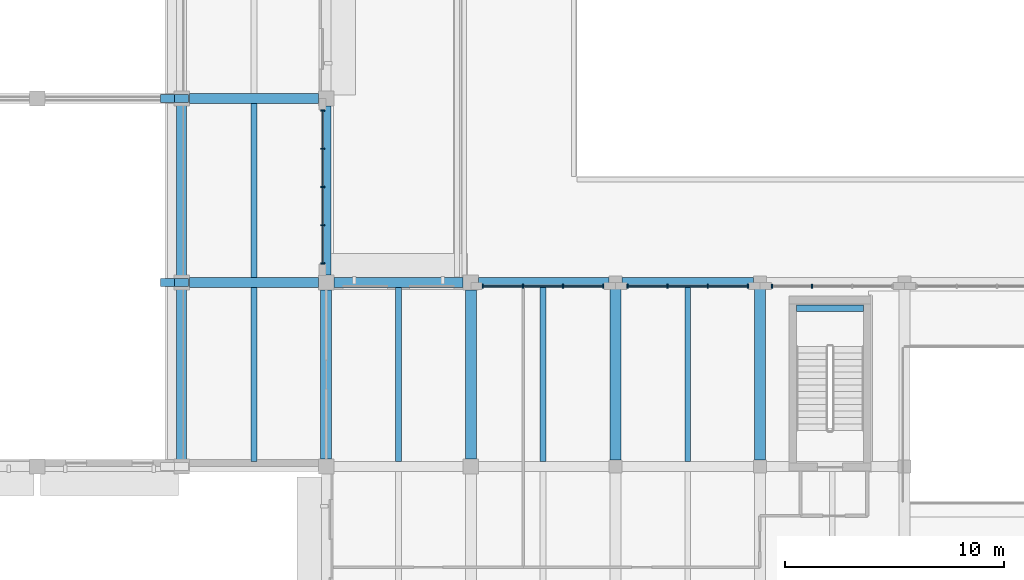
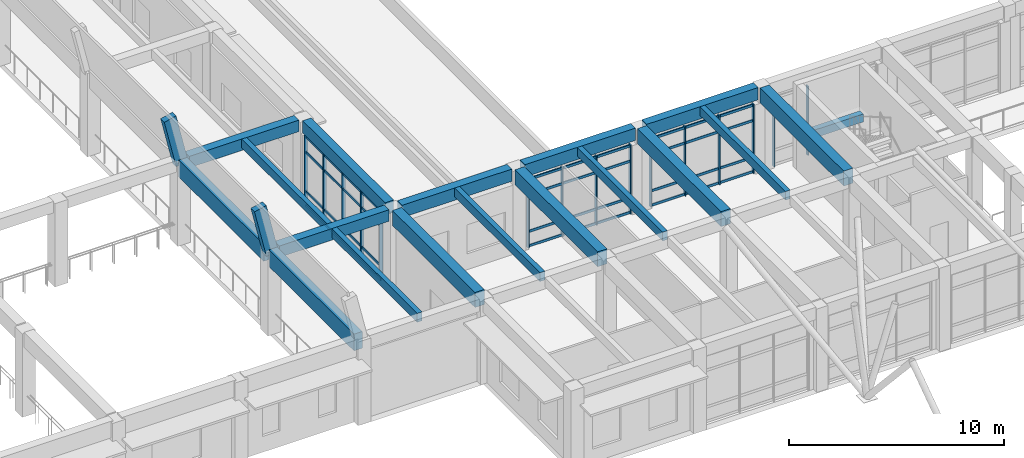
# One storey, part 17 of 75: 27 members, 20 beams, 4 elements without a shape of their own.
"""IFC4 building model written with IfcOpenShell, lengths in metres."""

from ifc_helpers import new_model, si_unit, direction, frame, origin, origin_2d, place, context, subcontext, project, spatial, rectangle, extrude, material, layer, layer_set, material_profile, profile_set, type_object, element, aggregate, save


model = new_model("IFC4")

# Units and contexts
model_context = context("Model", 3, precision=1e-05, world=origin(), true_north=direction((0.0, 1.0)))
body_context = subcontext(model_context, "Body", "Model", "MODEL_VIEW")
ifc_project = project(units=[si_unit("LENGTHUNIT", "METRE"), si_unit("AREAUNIT", "SQUARE_METRE"), si_unit("VOLUMEUNIT", "CUBIC_METRE"), si_unit("PLANEANGLEUNIT", "RADIAN"), si_unit("MASSUNIT", "GRAM", prefix="KILO")], contexts=[model_context])

# Site, building, storey
site_placement = place(None, origin())
site = spatial("IfcSite", under=ifc_project, at=site_placement, CompositionType="ELEMENT")
building_placement = place(site_placement, origin())
building = spatial("IfcBuilding", under=site, at=building_placement, Name="Kolvaren Faculty of Natural Sciences", CompositionType="ELEMENT")
storey_placement = place(building_placement, frame((0.0, 0.0, 5.39990234375)))
storey = spatial("IfcBuildingStorey", under=building, at=storey_placement, Name="L01", CompositionType="ELEMENT", Elevation=5.39990234375)

# Beam
ifc_material_1 = material(Name="Concrete C40/50", Category="concrete")
ifc_material_profile_1 = material_profile(ifc_material_1, rectangle(XDim=0.300048828125, YDim=0.449951171875, at=origin_2d()), Name="RC LNT 300x450")
ifc_profile_set_1 = profile_set([ifc_material_profile_1], Name="Concrete C40/50")
beam_type_1 = type_object("IfcBeamType", Name="CoreCouplingLintel_300x450", PredefinedType="LINTEL", material=ifc_profile_set_1)
beam_1_placement = place(storey_placement, frame((61.27490234375, 83.030029296875, 1.97509765625), z_axis=(1.0, 0.0, 0.0), x_axis=(0.0, 1.0, 0.0)))
element("IfcBeam", 1, at=beam_1_placement, inside=storey, type_object=beam_type_1, Name="L01 ST-6 half-landing support lintel", PredefinedType="LINTEL", context=body_context, shape_type="SweptSolid", body=[
    extrude(rectangle(XDim=0.300048828125, YDim=0.449951171875, at=origin_2d()), origin(), (0.0, 0.0, 1.0), 3.050048828125),
])

# Curtain wall, members
ifc_material_2 = material(Name="Thermally broken anodised aluminium framing", Category="aluminium")
ifc_layer_1 = layer(ifc_material_2, 0.179931640625)
ifc_layer_set_1 = layer_set([ifc_layer_1], Name="Thermally broken anodised aluminium framing")
curtain_wall_type_1 = type_object("IfcCurtainWallType", Name="PavilionFoyerCurtainWall_CW04", PredefinedType="NOTDEFINED", material=ifc_layer_set_1)
curtain_wall_1_placement = place(storey_placement, origin())
curtain_wall_1 = element("IfcCurtainWall", 2, at=curtain_wall_1_placement, inside=storey, type_object=curtain_wall_type_1, Name="L01 unitised curtain wall CW-04 (CW-L01-052)", PredefinedType="NOTDEFINED")
ifc_material_profile_2 = material_profile(ifc_material_2, rectangle(XDim=0.06005859375, YDim=0.179931640625, at=origin_2d()), Name="ALU MUL 60x180")
ifc_profile_set_2 = profile_set([ifc_material_profile_2], Name="Thermally broken anodised aluminium framing")
member_type_1 = type_object("IfcMemberType", Name="CurtainMullion_60x180", PredefinedType="MULLION", material=ifc_profile_set_2)
member_1_placement = place(storey_placement, frame((39.639892578125, 92.050048828125, 0.0), z_axis=(0.0, 0.0, 1.0), x_axis=(0.0, -1.0, 0.0)))
member_1 = element("IfcMember", 3, at=member_1_placement, type_object=member_type_1, Name="CW-L01-052 vertical mullion 1", PredefinedType="MULLION", context=body_context, shape_type="SweptSolid", body=[
    extrude(rectangle(XDim=0.06005859375, YDim=0.179931640625, at=origin_2d()), origin(), (0.0, 0.0, 1.0), 4.085205078125),
])
member_2_placement = place(storey_placement, frame((39.639892578125, 90.304931640625, 0.0), z_axis=(0.0, 0.0, 1.0), x_axis=(0.0, -1.0, 0.0)))
member_2 = element("IfcMember", 4, at=member_2_placement, type_object=member_type_1, Name="CW-L01-052 vertical mullion 2", PredefinedType="MULLION", context=body_context, shape_type="SweptSolid", body=[
    extrude(rectangle(XDim=0.06005859375, YDim=0.179931640625, at=origin_2d()), origin(), (0.0, 0.0, 1.0), 4.085205078125),
])
member_3_placement = place(storey_placement, frame((39.639892578125, 88.56005859375, 0.0), z_axis=(0.0, 0.0, 1.0), x_axis=(0.0, -1.0, 0.0)))
member_3 = element("IfcMember", 5, at=member_3_placement, type_object=member_type_1, Name="CW-L01-052 vertical mullion 3", PredefinedType="MULLION", context=body_context, shape_type="SweptSolid", body=[
    extrude(rectangle(XDim=0.06005859375, YDim=0.179931640625, at=origin_2d()), origin(), (0.0, 0.0, 1.0), 4.085205078125),
])
member_4_placement = place(storey_placement, frame((39.639892578125, 86.81494140625, 0.0), z_axis=(0.0, 0.0, 1.0), x_axis=(0.0, -1.0, 0.0)))
member_4 = element("IfcMember", 6, at=member_4_placement, type_object=member_type_1, Name="CW-L01-052 vertical mullion 4", PredefinedType="MULLION", context=body_context, shape_type="SweptSolid", body=[
    extrude(rectangle(XDim=0.06005859375, YDim=0.179931640625, at=origin_2d()), origin(), (0.0, 0.0, 1.0), 4.085205078125),
])
member_5_placement = place(storey_placement, frame((39.639892578125, 85.070068359375, 0.0), z_axis=(0.0, 0.0, 1.0), x_axis=(0.0, -1.0, 0.0)))
member_5 = element("IfcMember", 7, at=member_5_placement, type_object=member_type_1, Name="CW-L01-052 vertical mullion 5", PredefinedType="MULLION", context=body_context, shape_type="SweptSolid", body=[
    extrude(rectangle(XDim=0.06005859375, YDim=0.179931640625, at=origin_2d()), origin(), (0.0, 0.0, 1.0), 4.085205078125),
])

ifc_layer_2 = layer(ifc_material_2, 0.179931640625)
ifc_layer_set_2 = layer_set([ifc_layer_2], Name="Thermally broken anodised aluminium framing")
curtain_wall_type_2 = type_object("IfcCurtainWallType", Name="CommonsCurtainWall_CW02", PredefinedType="NOTDEFINED", material=ifc_layer_set_2)
curtain_wall_2_placement = place(storey_placement, origin())
curtain_wall_2 = element("IfcCurtainWall", 8, at=curtain_wall_2_placement, inside=storey, type_object=curtain_wall_type_2, Name="L01 unitised curtain wall CW-02 (CW-L01-053)", PredefinedType="NOTDEFINED")
member_6_placement = place(storey_placement, frame((46.949951171875, 84.0400390625, 0.0), z_axis=(0.0, 0.0, 1.0), x_axis=(1.0, 0.0, 0.0)))
member_6 = element("IfcMember", 9, at=member_6_placement, type_object=member_type_1, Name="CW-L01-053 vertical mullion 1", PredefinedType="MULLION", context=body_context, shape_type="SweptSolid", body=[
    extrude(rectangle(XDim=0.06005859375, YDim=0.179931640625, at=origin_2d()), origin(), (0.0, 0.0, 1.0), 3.93505859375),
])
member_7_placement = place(storey_placement, frame((48.783203125, 84.0400390625, 0.0), z_axis=(0.0, 0.0, 1.0), x_axis=(1.0, 0.0, 0.0)))
member_7 = element("IfcMember", 10, at=member_7_placement, type_object=member_type_1, Name="CW-L01-053 vertical mullion 2", PredefinedType="MULLION", context=body_context, shape_type="SweptSolid", body=[
    extrude(rectangle(XDim=0.06005859375, YDim=0.179931640625, at=origin_2d()), origin(), (0.0, 0.0, 1.0), 3.93505859375),
])
member_8_placement = place(storey_placement, frame((50.61669921875, 84.0400390625, 0.0), z_axis=(0.0, 0.0, 1.0), x_axis=(1.0, 0.0, 0.0)))
member_8 = element("IfcMember", 11, at=member_8_placement, type_object=member_type_1, Name="CW-L01-053 vertical mullion 3", PredefinedType="MULLION", context=body_context, shape_type="SweptSolid", body=[
    extrude(rectangle(XDim=0.06005859375, YDim=0.179931640625, at=origin_2d()), origin(), (0.0, 0.0, 1.0), 3.93505859375),
])
member_9_placement = place(storey_placement, frame((52.449951171875, 84.0400390625, 0.0), z_axis=(0.0, 0.0, 1.0), x_axis=(1.0, 0.0, 0.0)))
member_9 = element("IfcMember", 12, at=member_9_placement, type_object=member_type_1, Name="CW-L01-053 vertical mullion 4", PredefinedType="MULLION", context=body_context, shape_type="SweptSolid", body=[
    extrude(rectangle(XDim=0.06005859375, YDim=0.179931640625, at=origin_2d()), origin(), (0.0, 0.0, 1.0), 3.93505859375),
])

curtain_wall_3_placement = place(storey_placement, origin())
curtain_wall_3 = element("IfcCurtainWall", 13, at=curtain_wall_3_placement, inside=storey, type_object=curtain_wall_type_2, Name="L01 unitised curtain wall CW-02 (CW-L01-054)", PredefinedType="NOTDEFINED")
member_10_placement = place(storey_placement, frame((53.550048828125, 84.0400390625, 0.0), z_axis=(0.0, 0.0, 1.0), x_axis=(1.0, 0.0, 0.0)))
member_10 = element("IfcMember", 14, at=member_10_placement, type_object=member_type_1, Name="CW-L01-054 vertical mullion 1", PredefinedType="MULLION", context=body_context, shape_type="SweptSolid", body=[
    extrude(rectangle(XDim=0.06005859375, YDim=0.179931640625, at=origin_2d()), origin(), (0.0, 0.0, 1.0), 3.93505859375),
])
member_11_placement = place(storey_placement, frame((55.38330078125, 84.0400390625, 0.0), z_axis=(0.0, 0.0, 1.0), x_axis=(1.0, 0.0, 0.0)))
member_11 = element("IfcMember", 15, at=member_11_placement, type_object=member_type_1, Name="CW-L01-054 vertical mullion 2", PredefinedType="MULLION", context=body_context, shape_type="SweptSolid", body=[
    extrude(rectangle(XDim=0.06005859375, YDim=0.179931640625, at=origin_2d()), origin(), (0.0, 0.0, 1.0), 3.93505859375),
])
member_12_placement = place(storey_placement, frame((57.216796875, 84.0400390625, 0.0), z_axis=(0.0, 0.0, 1.0), x_axis=(1.0, 0.0, 0.0)))
member_12 = element("IfcMember", 16, at=member_12_placement, type_object=member_type_1, Name="CW-L01-054 vertical mullion 3", PredefinedType="MULLION", context=body_context, shape_type="SweptSolid", body=[
    extrude(rectangle(XDim=0.06005859375, YDim=0.179931640625, at=origin_2d()), origin(), (0.0, 0.0, 1.0), 3.93505859375),
])
member_13_placement = place(storey_placement, frame((59.050048828125, 84.0400390625, 0.0), z_axis=(0.0, 0.0, 1.0), x_axis=(1.0, 0.0, 0.0)))
member_13 = element("IfcMember", 17, at=member_13_placement, type_object=member_type_1, Name="CW-L01-054 vertical mullion 4", PredefinedType="MULLION", context=body_context, shape_type="SweptSolid", body=[
    extrude(rectangle(XDim=0.06005859375, YDim=0.179931640625, at=origin_2d()), origin(), (0.0, 0.0, 1.0), 3.93505859375),
])

ifc_layer_3 = layer(ifc_material_2, 0.179931640625)
ifc_layer_set_3 = layer_set([ifc_layer_3], Name="Thermally broken anodised aluminium framing")
curtain_wall_type_3 = type_object("IfcCurtainWallType", Name="AtriumCurtainWall_CW01", PredefinedType="NOTDEFINED", material=ifc_layer_set_3)
curtain_wall_4_placement = place(storey_placement, origin())
curtain_wall_4 = element("IfcCurtainWall", 18, at=curtain_wall_4_placement, inside=storey, type_object=curtain_wall_type_3, Name="L01 unitised curtain wall CW-01 (CW-L01-055)", PredefinedType="NOTDEFINED")
member_14_placement = place(storey_placement, frame((60.14990234375, 84.0400390625, 0.0), z_axis=(0.0, 0.0, 1.0), x_axis=(1.0, 0.0, 0.0)))
member_14 = element("IfcMember", 19, at=member_14_placement, type_object=member_type_1, Name="CW-L01-055 vertical mullion 1", PredefinedType="MULLION", context=body_context, shape_type="SweptSolid", body=[
    extrude(rectangle(XDim=0.06005859375, YDim=0.179931640625, at=origin_2d()), origin(), (0.0, 0.0, 1.0), 3.93505859375),
])
member_15_placement = place(storey_placement, frame((61.9833984375, 84.0400390625, 0.0), z_axis=(0.0, 0.0, 1.0), x_axis=(1.0, 0.0, 0.0)))
member_15 = element("IfcMember", 20, at=member_15_placement, type_object=member_type_1, Name="CW-L01-055 vertical mullion 2", PredefinedType="MULLION", context=body_context, shape_type="SweptSolid", body=[
    extrude(rectangle(XDim=0.06005859375, YDim=0.179931640625, at=origin_2d()), origin(), (0.0, 0.0, 1.0), 3.93505859375),
])
aggregate(curtain_wall_4, [member_14, member_15])

# Member
ifc_material_profile_3 = material_profile(ifc_material_2, rectangle(XDim=0.06005859375, YDim=0.139892578125, at=origin_2d()), Name="ALU TRN 60x140")
ifc_profile_set_3 = profile_set([ifc_material_profile_3], Name="Thermally broken anodised aluminium framing")
member_type_2 = type_object("IfcMemberType", Name="CurtainTransom_60x140", PredefinedType="USERDEFINED", material=ifc_profile_set_3)
member_16_placement = place(storey_placement, frame((39.639892578125, 92.050048828125, 0.080078125), z_axis=(0.0, -1.0, 0.0), x_axis=(1.0, 0.0, 0.0)))
member_16 = element("IfcMember", 21, at=member_16_placement, type_object=member_type_2, Name="CW-L01-052 horizontal transom 1", ObjectType="TRANSOM", PredefinedType="USERDEFINED", context=body_context, shape_type="SweptSolid", body=[
    extrude(rectangle(XDim=0.06005859375, YDim=0.139892578125, at=origin_2d()), origin(), (0.0, 0.0, 1.0), 6.97998046875),
])

member_17_placement = place(storey_placement, frame((39.639892578125, 92.050048828125, 0.900146484375), z_axis=(0.0, -1.0, 0.0), x_axis=(1.0, 0.0, 0.0)))
member_17 = element("IfcMember", 22, at=member_17_placement, type_object=member_type_2, Name="CW-L01-052 horizontal transom 2", ObjectType="TRANSOM", PredefinedType="USERDEFINED", context=body_context, shape_type="SweptSolid", body=[
    extrude(rectangle(XDim=0.06005859375, YDim=0.139892578125, at=origin_2d()), origin(), (0.0, 0.0, 1.0), 6.97998046875),
])

member_18_placement = place(storey_placement, frame((39.639892578125, 92.050048828125, 3.135009765625), z_axis=(0.0, -1.0, 0.0), x_axis=(1.0, 0.0, 0.0)))
member_18 = element("IfcMember", 23, at=member_18_placement, type_object=member_type_2, Name="CW-L01-052 horizontal transom 3", ObjectType="TRANSOM", PredefinedType="USERDEFINED", context=body_context, shape_type="SweptSolid", body=[
    extrude(rectangle(XDim=0.06005859375, YDim=0.139892578125, at=origin_2d()), origin(), (0.0, 0.0, 1.0), 6.97998046875),
])

member_19_placement = place(storey_placement, frame((39.639892578125, 92.050048828125, 4.005126953125), z_axis=(0.0, -1.0, 0.0), x_axis=(1.0, 0.0, 0.0)))
member_19 = element("IfcMember", 24, at=member_19_placement, type_object=member_type_2, Name="CW-L01-052 horizontal transom 4", ObjectType="TRANSOM", PredefinedType="USERDEFINED", context=body_context, shape_type="SweptSolid", body=[
    extrude(rectangle(XDim=0.06005859375, YDim=0.139892578125, at=origin_2d()), origin(), (0.0, 0.0, 1.0), 6.97998046875),
])

aggregate(curtain_wall_1, [member_1, member_2, member_3, member_4, member_5, member_16, member_17, member_18, member_19])

member_20_placement = place(storey_placement, frame((46.949951171875, 84.0400390625, 0.080078125), z_axis=(1.0, 0.0, 0.0), x_axis=(0.0, 1.0, 0.0)))
member_20 = element("IfcMember", 25, at=member_20_placement, type_object=member_type_2, Name="CW-L01-053 horizontal transom 1", ObjectType="TRANSOM", PredefinedType="USERDEFINED", context=body_context, shape_type="SweptSolid", body=[
    extrude(rectangle(XDim=0.06005859375, YDim=0.139892578125, at=origin_2d()), origin(), (0.0, 0.0, 1.0), 5.5),
])

member_21_placement = place(storey_placement, frame((46.949951171875, 84.0400390625, 0.900146484375), z_axis=(1.0, 0.0, 0.0), x_axis=(0.0, 1.0, 0.0)))
member_21 = element("IfcMember", 26, at=member_21_placement, type_object=member_type_2, Name="CW-L01-053 horizontal transom 2", ObjectType="TRANSOM", PredefinedType="USERDEFINED", context=body_context, shape_type="SweptSolid", body=[
    extrude(rectangle(XDim=0.06005859375, YDim=0.139892578125, at=origin_2d()), origin(), (0.0, 0.0, 1.0), 5.5),
])

member_22_placement = place(storey_placement, frame((46.949951171875, 84.0400390625, 2.985107421875), z_axis=(1.0, 0.0, 0.0), x_axis=(0.0, 1.0, 0.0)))
member_22 = element("IfcMember", 27, at=member_22_placement, type_object=member_type_2, Name="CW-L01-053 horizontal transom 3", ObjectType="TRANSOM", PredefinedType="USERDEFINED", context=body_context, shape_type="SweptSolid", body=[
    extrude(rectangle(XDim=0.06005859375, YDim=0.139892578125, at=origin_2d()), origin(), (0.0, 0.0, 1.0), 5.5),
])

member_23_placement = place(storey_placement, frame((46.949951171875, 84.0400390625, 3.85498046875), z_axis=(1.0, 0.0, 0.0), x_axis=(0.0, 1.0, 0.0)))
member_23 = element("IfcMember", 28, at=member_23_placement, type_object=member_type_2, Name="CW-L01-053 horizontal transom 4", ObjectType="TRANSOM", PredefinedType="USERDEFINED", context=body_context, shape_type="SweptSolid", body=[
    extrude(rectangle(XDim=0.06005859375, YDim=0.139892578125, at=origin_2d()), origin(), (0.0, 0.0, 1.0), 5.5),
])

aggregate(curtain_wall_2, [member_6, member_7, member_8, member_9, member_20, member_21, member_22, member_23])

member_24_placement = place(storey_placement, frame((53.550048828125, 84.0400390625, 0.080078125), z_axis=(1.0, 0.0, 0.0), x_axis=(0.0, 1.0, 0.0)))
member_24 = element("IfcMember", 29, at=member_24_placement, type_object=member_type_2, Name="CW-L01-054 horizontal transom 1", ObjectType="TRANSOM", PredefinedType="USERDEFINED", context=body_context, shape_type="SweptSolid", body=[
    extrude(rectangle(XDim=0.06005859375, YDim=0.139892578125, at=origin_2d()), origin(), (0.0, 0.0, 1.0), 5.5),
])

member_25_placement = place(storey_placement, frame((53.550048828125, 84.0400390625, 0.900146484375), z_axis=(1.0, 0.0, 0.0), x_axis=(0.0, 1.0, 0.0)))
member_25 = element("IfcMember", 30, at=member_25_placement, type_object=member_type_2, Name="CW-L01-054 horizontal transom 2", ObjectType="TRANSOM", PredefinedType="USERDEFINED", context=body_context, shape_type="SweptSolid", body=[
    extrude(rectangle(XDim=0.06005859375, YDim=0.139892578125, at=origin_2d()), origin(), (0.0, 0.0, 1.0), 5.5),
])

member_26_placement = place(storey_placement, frame((53.550048828125, 84.0400390625, 2.985107421875), z_axis=(1.0, 0.0, 0.0), x_axis=(0.0, 1.0, 0.0)))
member_26 = element("IfcMember", 31, at=member_26_placement, type_object=member_type_2, Name="CW-L01-054 horizontal transom 3", ObjectType="TRANSOM", PredefinedType="USERDEFINED", context=body_context, shape_type="SweptSolid", body=[
    extrude(rectangle(XDim=0.06005859375, YDim=0.139892578125, at=origin_2d()), origin(), (0.0, 0.0, 1.0), 5.5),
])

member_27_placement = place(storey_placement, frame((53.550048828125, 84.0400390625, 3.85498046875), z_axis=(1.0, 0.0, 0.0), x_axis=(0.0, 1.0, 0.0)))
member_27 = element("IfcMember", 32, at=member_27_placement, type_object=member_type_2, Name="CW-L01-054 horizontal transom 4", ObjectType="TRANSOM", PredefinedType="USERDEFINED", context=body_context, shape_type="SweptSolid", body=[
    extrude(rectangle(XDim=0.06005859375, YDim=0.139892578125, at=origin_2d()), origin(), (0.0, 0.0, 1.0), 5.5),
])

aggregate(curtain_wall_3, [member_10, member_11, member_12, member_13, member_24, member_25, member_26, member_27])

# Beams
ifc_material_3 = material(Name="Concrete C35/45", Category="concrete")
ifc_material_profile_4 = material_profile(ifc_material_3, rectangle(XDim=0.449951171875, YDim=0.64990234375, at=origin_2d()), Name="RC BM 450x650")
ifc_profile_set_4 = profile_set([ifc_material_profile_4], Name="Concrete C35/45")
beam_type_2 = type_object("IfcBeamType", Name="GridBeam_450x650", PredefinedType="BEAM", material=ifc_profile_set_4)
for number, where, z_axis, x_axis, name in (
    (33, (33.550048828125, 84.199951171875, 4.47509765625), (1.0, 0.0, 0.0), (0.0, 1.0, 0.0), "L01 beam BM-65 on grid L"),
    (34, (33.550048828125, 92.60009765625, 4.47509765625), (1.0, 0.0, 0.0), (0.0, 1.0, 0.0), "L01 beam BM-65 on grid M"),
):
    element("IfcBeam", number, at=place(storey_placement, frame(where, z_axis=z_axis, x_axis=x_axis)), inside=storey, type_object=beam_type_2, Name=name, PredefinedType="BEAM", context=body_context, shape_type="SweptSolid", body=[
        extrude(rectangle(XDim=0.449951171875, YDim=0.64990234375, at=origin_2d()), origin(), (0.0, 0.0, 1.0), 5.89990234375),
    ])
ifc_material_profile_5 = material_profile(ifc_material_3, rectangle(XDim=0.260009765625, YDim=0.5, at=origin_2d()), Name="RC JST 260x500")
ifc_profile_set_5 = profile_set([ifc_material_profile_5], Name="Concrete C35/45")
beam_type_3 = type_object("IfcBeamType", Name="LabRibJoist_260x500", PredefinedType="JOIST", material=ifc_profile_set_5)
beam_2_placement = place(storey_placement, frame((36.5, 76.02490234375, 4.550048828125), z_axis=(0.0, 1.0, 0.0), x_axis=(-1.0, 0.0, 0.0)))
element("IfcBeam", 35, at=beam_2_placement, inside=storey, type_object=beam_type_3, Name="L01 ribbed laboratory slab joist JS-50", PredefinedType="JOIST", context=body_context, shape_type="SweptSolid", body=[
    extrude(rectangle(XDim=0.260009765625, YDim=0.5, at=origin_2d()), origin(), (0.0, 0.0, 1.0), 7.9501953125),
])
beam_3_placement = place(storey_placement, frame((36.5, 84.425048828125, 4.550048828125), z_axis=(0.0, 1.0, 0.0), x_axis=(-1.0, 0.0, 0.0)))
element("IfcBeam", 36, at=beam_3_placement, inside=storey, type_object=beam_type_3, Name="L01 ribbed laboratory slab joist JS-50", PredefinedType="JOIST", context=body_context, shape_type="SweptSolid", body=[
    extrude(rectangle(XDim=0.260009765625, YDim=0.5, at=origin_2d()), origin(), (0.0, 0.0, 1.0), 7.949951171875),
])
for number, where, z_axis, x_axis, name in (
    (37, (43.10009765625, 76.02490234375, 4.550048828125), (0.0, 1.0, 0.0), (-1.0, 0.0, 0.0), "L01 ribbed laboratory slab joist JS-50"),
    (38, (49.699951171875, 76.02490234375, 4.550048828125), (0.0, 1.0, 0.0), (-1.0, 0.0, 0.0), "L01 ribbed laboratory slab joist JS-50"),
    (39, (56.300048828125, 76.02490234375, 4.550048828125), (0.0, 1.0, 0.0), (-1.0, 0.0, 0.0), "L01 ribbed laboratory slab joist JS-50"),
):
    element("IfcBeam", number, at=place(storey_placement, frame(where, z_axis=z_axis, x_axis=x_axis)), inside=storey, type_object=beam_type_3, Name=name, PredefinedType="JOIST", context=body_context, shape_type="SweptSolid", body=[
        extrude(rectangle(XDim=0.260009765625, YDim=0.5, at=origin_2d()), origin(), (0.0, 0.0, 1.0), 7.9501953125),
    ])
ifc_material_profile_6 = material_profile(ifc_material_3, rectangle(XDim=0.449951171875, YDim=0.699951171875, at=origin_2d()), Name="RC SP 450x700")
ifc_profile_set_6 = profile_set([ifc_material_profile_6], Name="Concrete C35/45")
beam_type_4 = type_object("IfcBeamType", Name="PerimeterSpandrel_450x700", PredefinedType="SPANDREL", material=ifc_profile_set_6)
beam_4_placement = place(storey_placement, frame((40.14990234375, 84.199951171875, 4.4501953125), z_axis=(1.0, 0.0, 0.0), x_axis=(0.0, 1.0, 0.0)))
element("IfcBeam", 40, at=beam_4_placement, inside=storey, type_object=beam_type_4, Name="L01 spandrel SP-70 on grid L", PredefinedType="SPANDREL", context=body_context, shape_type="SweptSolid", body=[
    extrude(rectangle(XDim=0.449951171875, YDim=0.699951171875, at=origin_2d()), origin(), (0.0, 0.0, 1.0), 5.900146484375),
])
beam_5_placement = place(storey_placement, frame((46.75, 84.199951171875, 4.4501953125), z_axis=(1.0, 0.0, 0.0), x_axis=(0.0, 1.0, 0.0)))
element("IfcBeam", 41, at=beam_5_placement, inside=storey, type_object=beam_type_4, Name="L01 spandrel SP-70 on grid L", PredefinedType="SPANDREL", context=body_context, shape_type="SweptSolid", body=[
    extrude(rectangle(XDim=0.449951171875, YDim=0.699951171875, at=origin_2d()), origin(), (0.0, 0.0, 1.0), 5.949951171875),
])
beam_6_placement = place(storey_placement, frame((53.300048828125, 84.199951171875, 4.4501953125), z_axis=(1.0, 0.0, 0.0), x_axis=(0.0, 1.0, 0.0)))
element("IfcBeam", 42, at=beam_6_placement, inside=storey, type_object=beam_type_4, Name="L01 spandrel SP-70 on grid L", PredefinedType="SPANDREL", context=body_context, shape_type="SweptSolid", body=[
    extrude(rectangle(XDim=0.449951171875, YDim=0.699951171875, at=origin_2d()), origin(), (0.0, 0.0, 1.0), 6.0),
])
beam_7_placement = place(storey_placement, frame((39.800048828125, 84.550048828125, 4.4501953125), z_axis=(0.0, 1.0, 0.0), x_axis=(-1.0, 0.0, 0.0)))
element("IfcBeam", 43, at=beam_7_placement, inside=storey, type_object=beam_type_4, Name="L01 girder SP-70 on grid 7", PredefinedType="SPANDREL", context=body_context, shape_type="SweptSolid", body=[
    extrude(rectangle(XDim=0.449951171875, YDim=0.699951171875, at=origin_2d()), origin(), (0.0, 0.0, 1.0), 7.699951171875),
])
ifc_material_profile_7 = material_profile(ifc_material_3, rectangle(XDim=0.5, YDim=0.85009765625, at=origin_2d()), Name="RC BM 500x850")
ifc_profile_set_7 = profile_set([ifc_material_profile_7], Name="Concrete C35/45")
beam_type_5 = type_object("IfcBeamType", Name="PrimaryGirder_500x850", PredefinedType="BEAM", material=ifc_profile_set_7)
for number, where, z_axis, x_axis, name in (
    (44, (39.800048828125, 76.14990234375, 4.375), (0.0, 1.0, 0.0), (-1.0, 0.0, 0.0), "L01 girder BG-85 on grid 7"),
    (45, (46.39990234375, 76.14990234375, 4.375), (0.0, 1.0, 0.0), (-1.0, 0.0, 0.0), "L01 girder BG-85 on grid 8"),
):
    element("IfcBeam", number, at=place(storey_placement, frame(where, z_axis=z_axis, x_axis=x_axis)), inside=storey, type_object=beam_type_5, Name=name, PredefinedType="BEAM", context=body_context, shape_type="SweptSolid", body=[
        extrude(rectangle(XDim=0.5, YDim=0.85009765625, at=origin_2d()), origin(), (0.0, 0.0, 1.0), 7.7001953125),
    ])
for number, where, z_axis, x_axis, name in (
    (46, (53.0, 76.10009765625, 4.375), (0.0, 1.0, 0.0), (-1.0, 0.0, 0.0), "L01 girder BG-85 on grid 9"),
    (47, (59.60009765625, 76.10009765625, 4.375), (0.0, 1.0, 0.0), (-1.0, 0.0, 0.0), "L01 girder BG-85 on grid 10"),
):
    element("IfcBeam", number, at=place(storey_placement, frame(where, z_axis=z_axis, x_axis=x_axis)), inside=storey, type_object=beam_type_5, Name=name, PredefinedType="BEAM", context=body_context, shape_type="SweptSolid", body=[
        extrude(rectangle(XDim=0.5, YDim=0.85009765625, at=origin_2d()), origin(), (0.0, 0.0, 1.0), 7.7998046875),
    ])
ifc_material_profile_8 = material_profile(ifc_material_1, rectangle(XDim=0.35009765625, YDim=0.64990234375, at=origin_2d()), Name="RC RB 350x650")
ifc_profile_set_8 = profile_set([ifc_material_profile_8], Name="Concrete C40/50")
beam_type_6 = type_object("IfcBeamType", Name="ShellArchRib_350x650", PredefinedType="BEAM", material=ifc_profile_set_8)
for number, where, z_axis, x_axis, name in (
    (48, (32.553955078125, 84.199951171875, 7.239501953125), (0.227934858985, 0.0, -0.973676383641), (0.0, 1.0, 0.0), "Lecture Theatre Pavilion Barrel Vault Shell arched stiffening rib 2.10"),
    (49, (32.553955078125, 92.60009765625, 7.239501953125), (0.227934858985, 0.0, -0.973676383641), (0.0, 1.0, 0.0), "Lecture Theatre Pavilion Barrel Vault Shell arched stiffening rib 3.10"),
):
    element("IfcBeam", number, at=place(storey_placement, frame(where, z_axis=z_axis, x_axis=x_axis)), inside=storey, type_object=beam_type_6, Name=name, PredefinedType="BEAM", context=body_context, shape_type="SweptSolid", body=[
        extrude(rectangle(XDim=0.35009765625, YDim=0.64990234375, at=origin_2d()), origin(), (0.0, 0.0, 1.0), 2.834228515625),
    ])
ifc_material_profile_9 = material_profile(ifc_material_1, rectangle(XDim=0.449951171875, YDim=0.949951171875, at=origin_2d()), Name="RC EB 450x950")
ifc_profile_set_9 = profile_set([ifc_material_profile_9], Name="Concrete C40/50")
beam_type_7 = type_object("IfcBeamType", Name="ShellEdgeBeam_450x950", PredefinedType="SPANDREL", material=ifc_profile_set_9)
beam_8_placement = place(storey_placement, frame((33.199951171875, 76.0400390625, 4.3251953125), z_axis=(0.0, 1.0, 0.0), x_axis=(-1.0, 0.0, 0.0)))
element("IfcBeam", 50, at=beam_8_placement, inside=storey, type_object=beam_type_7, Name="Lecture Theatre Pavilion Barrel Vault Shell visible RC edge beam EB-SHELL", PredefinedType="SPANDREL", context=body_context, shape_type="SweptSolid", body=[
    extrude(rectangle(XDim=0.449951171875, YDim=0.949951171875, at=origin_2d()), origin(), (0.0, 0.0, 1.0), 7.919921875),
])
beam_9_placement = place(storey_placement, frame((33.199951171875, 84.43994140625, 4.3251953125), z_axis=(0.0, 1.0, 0.0), x_axis=(-1.0, 0.0, 0.0)))
element("IfcBeam", 51, at=beam_9_placement, inside=storey, type_object=beam_type_7, Name="Lecture Theatre Pavilion Barrel Vault Shell visible RC edge beam EB-SHELL", PredefinedType="SPANDREL", context=body_context, shape_type="SweptSolid", body=[
    extrude(rectangle(XDim=0.449951171875, YDim=0.949951171875, at=origin_2d()), origin(), (0.0, 0.0, 1.0), 7.920166015625),
])

save(model, "model.ifc")
